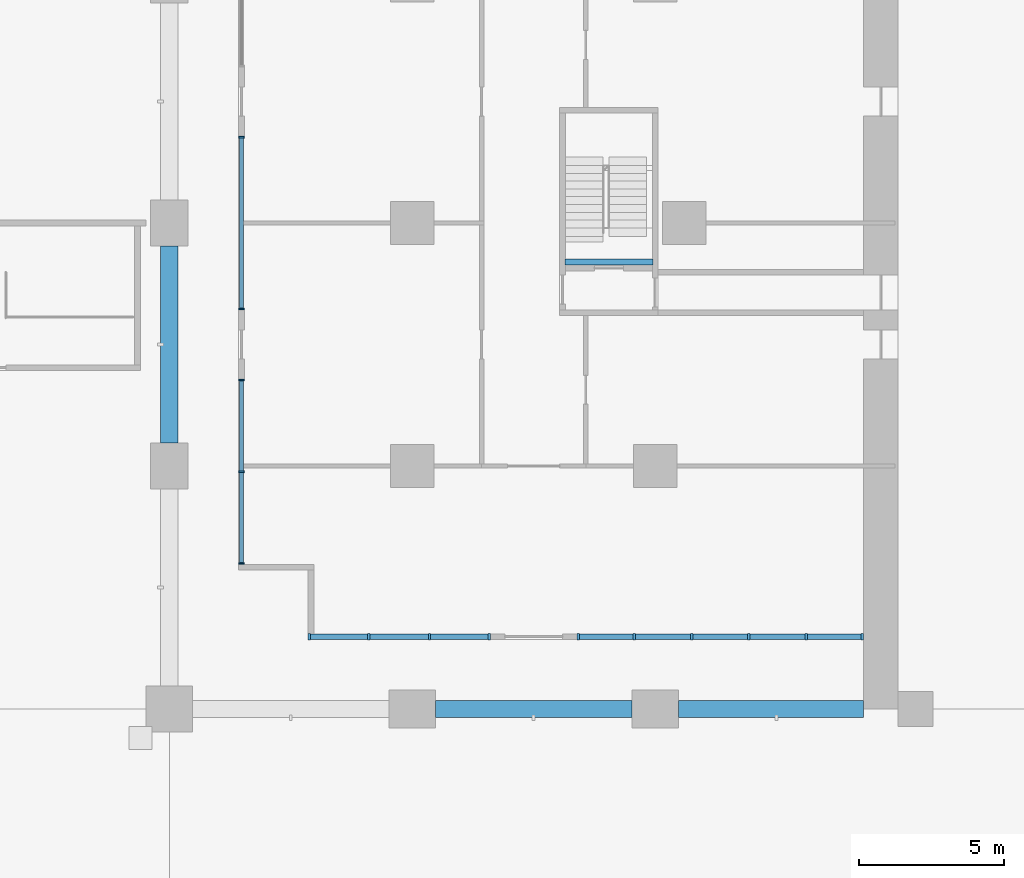
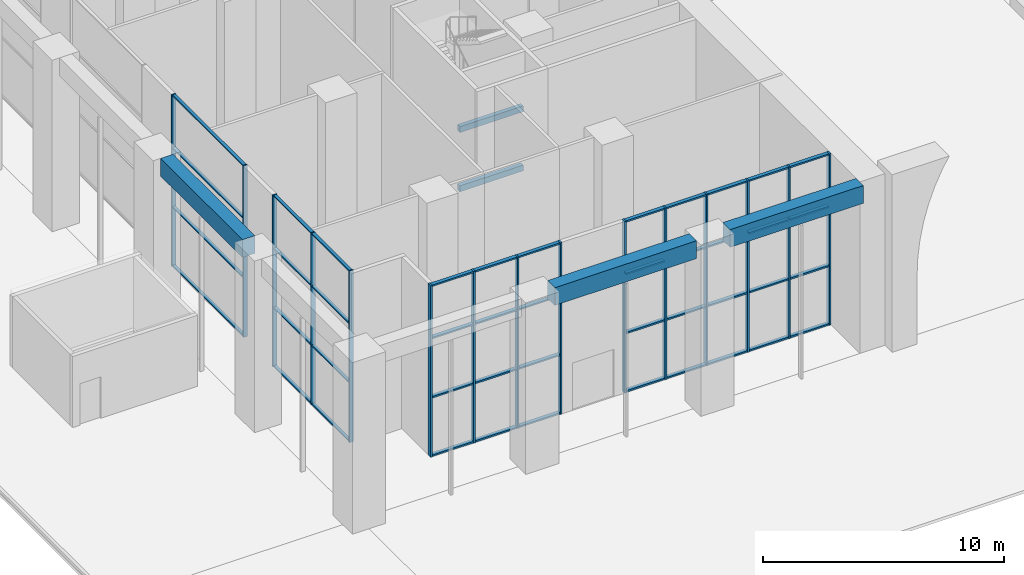
# One storey, part 3 of 46: 59 members, 5 beams, 4 elements without a shape of their own.
"""IFC4 building model written with IfcOpenShell, lengths in metres."""

from ifc_helpers import new_model, si_unit, direction, frame, origin, origin_2d, place, context, subcontext, project, spatial, rectangle, extrude, material, material_profile, profile_set, type_object, element, aggregate, save


model = new_model("IFC4")

# Units and contexts
model_context = context("Model", 3, precision=1e-05, world=origin(), true_north=direction((0.0, 1.0)))
body_context = subcontext(model_context, "Body", "Model", "MODEL_VIEW")
ifc_project = project(units=[si_unit("LENGTHUNIT", "METRE"), si_unit("AREAUNIT", "SQUARE_METRE"), si_unit("VOLUMEUNIT", "CUBIC_METRE"), si_unit("PLANEANGLEUNIT", "RADIAN"), si_unit("MASSUNIT", "GRAM", prefix="KILO")], contexts=[model_context])

# Site, building, storey
site_placement = place(None, origin())
site = spatial("IfcSite", under=ifc_project, at=site_placement, CompositionType="ELEMENT")
building_placement = place(site_placement, origin())
building = spatial("IfcBuilding", under=site, at=building_placement, Name="Vermilion Gate Residences", CompositionType="ELEMENT")
storey_placement = place(building_placement, origin())
storey = spatial("IfcBuildingStorey", under=building, at=storey_placement, Name="L00", CompositionType="ELEMENT", Elevation=0.0)

# Curtain wall, members
ifc_material_1 = material(Name="Aluminium and glass", Category="aluminium")
curtain_wall_type_1 = type_object("IfcCurtainWallType", Name="LOBBY ENTRANCE GLAZING CURTAIN WALL", PredefinedType="NOTDEFINED", material=ifc_material_1)
curtain_wall_1_placement = place(storey_placement, origin())
curtain_wall_1 = element("IfcCurtainWall", 1, at=curtain_wall_1_placement, inside=storey, type_object=curtain_wall_type_1, Name="Lobby Entrance Glazing 60", PredefinedType="NOTDEFINED")
ifc_material_2 = material(Name="Aluminium", Category="aluminium")
ifc_material_profile_1 = material_profile(ifc_material_2, rectangle(XDim=0.219970703125, YDim=0.080078125, at=origin_2d()), Name="MULLION 80 X 220")
ifc_profile_set_1 = profile_set([ifc_material_profile_1], Name="Aluminium")
member_type_1 = type_object("IfcMemberType", Name="LOBBY ENTRANCE GLAZING MULLION 80 X 220", PredefinedType="MULLION", material=ifc_profile_set_1)
member_1_placement = place(storey_placement, frame((4.840087890625, 2.5, 0.0), z_axis=(0.0, 0.0, 1.0), x_axis=(0.0, 1.0, 0.0)))
member_1 = element("IfcMember", 2, at=member_1_placement, type_object=member_type_1, Name="ECW5 mullion 1", PredefinedType="MULLION", context=body_context, shape_type="SweptSolid", body=[
    extrude(rectangle(XDim=0.219970703125, YDim=0.080078125, at=origin_2d()), origin(), (0.0, 0.0, 1.0), 8.699951171875),
])
member_2_placement = place(storey_placement, frame((6.89990234375, 2.5, 0.0), z_axis=(0.0, 0.0, 1.0), x_axis=(0.0, 1.0, 0.0)))
member_2 = element("IfcMember", 3, at=member_2_placement, type_object=member_type_1, Name="ECW5 mullion 2", PredefinedType="MULLION", context=body_context, shape_type="SweptSolid", body=[
    extrude(rectangle(XDim=0.219970703125, YDim=0.080078125, at=origin_2d()), origin(), (0.0, 0.0, 1.0), 8.699951171875),
])
member_3_placement = place(storey_placement, frame((9.0, 2.5, 0.0), z_axis=(0.0, 0.0, 1.0), x_axis=(0.0, 1.0, 0.0)))
member_3 = element("IfcMember", 4, at=member_3_placement, type_object=member_type_1, Name="ECW5 mullion 3", PredefinedType="MULLION", context=body_context, shape_type="SweptSolid", body=[
    extrude(rectangle(XDim=0.219970703125, YDim=0.080078125, at=origin_2d()), origin(), (0.0, 0.0, 1.0), 8.699951171875),
])
member_4_placement = place(storey_placement, frame((11.06005859375, 2.5, 0.0), z_axis=(0.0, 0.0, 1.0), x_axis=(0.0, 1.0, 0.0)))
member_4 = element("IfcMember", 5, at=member_4_placement, type_object=member_type_1, Name="ECW5 mullion 4", PredefinedType="MULLION", context=body_context, shape_type="SweptSolid", body=[
    extrude(rectangle(XDim=0.219970703125, YDim=0.080078125, at=origin_2d()), origin(), (0.0, 0.0, 1.0), 8.699951171875),
])

curtain_wall_2_placement = place(storey_placement, origin())
curtain_wall_2 = element("IfcCurtainWall", 6, at=curtain_wall_2_placement, inside=storey, type_object=curtain_wall_type_1, Name="Lobby Entrance Glazing 62", PredefinedType="NOTDEFINED")
member_5_placement = place(storey_placement, frame((14.139892578125, 2.5, 0.0), z_axis=(0.0, 0.0, 1.0), x_axis=(0.0, 1.0, 0.0)))
member_5 = element("IfcMember", 7, at=member_5_placement, type_object=member_type_1, Name="ECW5 mullion 1", PredefinedType="MULLION", context=body_context, shape_type="SweptSolid", body=[
    extrude(rectangle(XDim=0.219970703125, YDim=0.080078125, at=origin_2d()), origin(), (0.0, 0.0, 1.0), 8.699951171875),
])
member_6_placement = place(storey_placement, frame((16.080078125, 2.5, 0.0), z_axis=(0.0, 0.0, 1.0), x_axis=(0.0, 1.0, 0.0)))
member_6 = element("IfcMember", 8, at=member_6_placement, type_object=member_type_1, Name="ECW5 mullion 2", PredefinedType="MULLION", context=body_context, shape_type="SweptSolid", body=[
    extrude(rectangle(XDim=0.219970703125, YDim=0.080078125, at=origin_2d()), origin(), (0.0, 0.0, 1.0), 8.699951171875),
])
member_7_placement = place(storey_placement, frame((18.06005859375, 2.5, 0.0), z_axis=(0.0, 0.0, 1.0), x_axis=(0.0, 1.0, 0.0)))
member_7 = element("IfcMember", 9, at=member_7_placement, type_object=member_type_1, Name="ECW5 mullion 3", PredefinedType="MULLION", context=body_context, shape_type="SweptSolid", body=[
    extrude(rectangle(XDim=0.219970703125, YDim=0.080078125, at=origin_2d()), origin(), (0.0, 0.0, 1.0), 8.699951171875),
])
member_8_placement = place(storey_placement, frame((20.0400390625, 2.5, 0.0), z_axis=(0.0, 0.0, 1.0), x_axis=(0.0, 1.0, 0.0)))
member_8 = element("IfcMember", 10, at=member_8_placement, type_object=member_type_1, Name="ECW5 mullion 4", PredefinedType="MULLION", context=body_context, shape_type="SweptSolid", body=[
    extrude(rectangle(XDim=0.219970703125, YDim=0.080078125, at=origin_2d()), origin(), (0.0, 0.0, 1.0), 8.699951171875),
])
member_9_placement = place(storey_placement, frame((22.02001953125, 2.5, 0.0), z_axis=(0.0, 0.0, 1.0), x_axis=(0.0, 1.0, 0.0)))
member_9 = element("IfcMember", 11, at=member_9_placement, type_object=member_type_1, Name="ECW5 mullion 5", PredefinedType="MULLION", context=body_context, shape_type="SweptSolid", body=[
    extrude(rectangle(XDim=0.219970703125, YDim=0.080078125, at=origin_2d()), origin(), (0.0, 0.0, 1.0), 8.699951171875),
])
member_10_placement = place(storey_placement, frame((23.9599609375, 2.5, 0.0), z_axis=(0.0, 0.0, 1.0), x_axis=(0.0, 1.0, 0.0)))
member_10 = element("IfcMember", 12, at=member_10_placement, type_object=member_type_1, Name="ECW5 mullion 6", PredefinedType="MULLION", context=body_context, shape_type="SweptSolid", body=[
    extrude(rectangle(XDim=0.219970703125, YDim=0.080078125, at=origin_2d()), origin(), (0.0, 0.0, 1.0), 8.699951171875),
])

# Member
ifc_material_3 = material(Name="Aluminium", Category="aluminium")
ifc_material_profile_2 = material_profile(ifc_material_3, rectangle(XDim=0.179931640625, YDim=0.080078125, at=origin_2d()), Name="TRANSOM 80 X 180")
ifc_profile_set_2 = profile_set([ifc_material_profile_2], Name="Aluminium")
member_type_2 = type_object("IfcMemberType", Name="LOBBY ENTRANCE GLAZING TRANSOM 80 X 180", PredefinedType="MULLION", material=ifc_profile_set_2)
member_11_placement = place(storey_placement, frame((4.8798828125, 2.5, 0.0400390625), z_axis=(1.0, 0.0, 0.0), x_axis=(0.0, 1.0, 0.0)))
member_11 = element("IfcMember", 13, at=member_11_placement, type_object=member_type_2, Name="ECW5 transom 1.1", PredefinedType="MULLION", context=body_context, shape_type="SweptSolid", body=[
    extrude(rectangle(XDim=0.179931640625, YDim=0.080078125, at=origin_2d()), origin(), (0.0, 0.0, 1.0), 1.980224609375),
])

member_12_placement = place(storey_placement, frame((4.8798828125, 2.5, 3.0), z_axis=(1.0, 0.0, 0.0), x_axis=(0.0, 1.0, 0.0)))
member_12 = element("IfcMember", 14, at=member_12_placement, type_object=member_type_2, Name="ECW5 transom 1.2", PredefinedType="MULLION", context=body_context, shape_type="SweptSolid", body=[
    extrude(rectangle(XDim=0.179931640625, YDim=0.080078125, at=origin_2d()), origin(), (0.0, 0.0, 1.0), 1.980224609375),
])

member_13_placement = place(storey_placement, frame((4.8798828125, 2.5, 6.0), z_axis=(1.0, 0.0, 0.0), x_axis=(0.0, 1.0, 0.0)))
member_13 = element("IfcMember", 15, at=member_13_placement, type_object=member_type_2, Name="ECW5 transom 1.3", PredefinedType="MULLION", context=body_context, shape_type="SweptSolid", body=[
    extrude(rectangle(XDim=0.179931640625, YDim=0.080078125, at=origin_2d()), origin(), (0.0, 0.0, 1.0), 1.980224609375),
])

member_14_placement = place(storey_placement, frame((4.8798828125, 2.5, 8.659912109375), z_axis=(1.0, 0.0, 0.0), x_axis=(0.0, 1.0, 0.0)))
member_14 = element("IfcMember", 16, at=member_14_placement, type_object=member_type_2, Name="ECW5 transom 1.4", PredefinedType="MULLION", context=body_context, shape_type="SweptSolid", body=[
    extrude(rectangle(XDim=0.179931640625, YDim=0.080078125, at=origin_2d()), origin(), (0.0, 0.0, 1.0), 1.980224609375),
])

member_15_placement = place(storey_placement, frame((6.93994140625, 2.5, 0.0400390625), z_axis=(1.0, 0.0, 0.0), x_axis=(0.0, 1.0, 0.0)))
member_15 = element("IfcMember", 17, at=member_15_placement, type_object=member_type_2, Name="ECW5 transom 2.1", PredefinedType="MULLION", context=body_context, shape_type="SweptSolid", body=[
    extrude(rectangle(XDim=0.179931640625, YDim=0.080078125, at=origin_2d()), origin(), (0.0, 0.0, 1.0), 2.02001953125),
])

member_16_placement = place(storey_placement, frame((6.93994140625, 2.5, 3.0), z_axis=(1.0, 0.0, 0.0), x_axis=(0.0, 1.0, 0.0)))
member_16 = element("IfcMember", 18, at=member_16_placement, type_object=member_type_2, Name="ECW5 transom 2.2", PredefinedType="MULLION", context=body_context, shape_type="SweptSolid", body=[
    extrude(rectangle(XDim=0.179931640625, YDim=0.080078125, at=origin_2d()), origin(), (0.0, 0.0, 1.0), 2.02001953125),
])

member_17_placement = place(storey_placement, frame((6.93994140625, 2.5, 6.0), z_axis=(1.0, 0.0, 0.0), x_axis=(0.0, 1.0, 0.0)))
member_17 = element("IfcMember", 19, at=member_17_placement, type_object=member_type_2, Name="ECW5 transom 2.3", PredefinedType="MULLION", context=body_context, shape_type="SweptSolid", body=[
    extrude(rectangle(XDim=0.179931640625, YDim=0.080078125, at=origin_2d()), origin(), (0.0, 0.0, 1.0), 2.02001953125),
])

member_18_placement = place(storey_placement, frame((6.93994140625, 2.5, 8.659912109375), z_axis=(1.0, 0.0, 0.0), x_axis=(0.0, 1.0, 0.0)))
member_18 = element("IfcMember", 20, at=member_18_placement, type_object=member_type_2, Name="ECW5 transom 2.4", PredefinedType="MULLION", context=body_context, shape_type="SweptSolid", body=[
    extrude(rectangle(XDim=0.179931640625, YDim=0.080078125, at=origin_2d()), origin(), (0.0, 0.0, 1.0), 2.02001953125),
])

member_19_placement = place(storey_placement, frame((9.0400390625, 2.5, 0.0400390625), z_axis=(1.0, 0.0, 0.0), x_axis=(0.0, 1.0, 0.0)))
member_19 = element("IfcMember", 21, at=member_19_placement, type_object=member_type_2, Name="ECW5 transom 3.1", PredefinedType="MULLION", context=body_context, shape_type="SweptSolid", body=[
    extrude(rectangle(XDim=0.179931640625, YDim=0.080078125, at=origin_2d()), origin(), (0.0, 0.0, 1.0), 1.97998046875),
])

member_20_placement = place(storey_placement, frame((9.0400390625, 2.5, 3.0), z_axis=(1.0, 0.0, 0.0), x_axis=(0.0, 1.0, 0.0)))
member_20 = element("IfcMember", 22, at=member_20_placement, type_object=member_type_2, Name="ECW5 transom 3.2", PredefinedType="MULLION", context=body_context, shape_type="SweptSolid", body=[
    extrude(rectangle(XDim=0.179931640625, YDim=0.080078125, at=origin_2d()), origin(), (0.0, 0.0, 1.0), 1.97998046875),
])

member_21_placement = place(storey_placement, frame((9.0400390625, 2.5, 6.0), z_axis=(1.0, 0.0, 0.0), x_axis=(0.0, 1.0, 0.0)))
member_21 = element("IfcMember", 23, at=member_21_placement, type_object=member_type_2, Name="ECW5 transom 3.3", PredefinedType="MULLION", context=body_context, shape_type="SweptSolid", body=[
    extrude(rectangle(XDim=0.179931640625, YDim=0.080078125, at=origin_2d()), origin(), (0.0, 0.0, 1.0), 1.97998046875),
])

member_22_placement = place(storey_placement, frame((9.0400390625, 2.5, 8.659912109375), z_axis=(1.0, 0.0, 0.0), x_axis=(0.0, 1.0, 0.0)))
member_22 = element("IfcMember", 24, at=member_22_placement, type_object=member_type_2, Name="ECW5 transom 3.4", PredefinedType="MULLION", context=body_context, shape_type="SweptSolid", body=[
    extrude(rectangle(XDim=0.179931640625, YDim=0.080078125, at=origin_2d()), origin(), (0.0, 0.0, 1.0), 1.97998046875),
])

aggregate(curtain_wall_1, [member_1, member_2, member_3, member_4, member_11, member_12, member_13, member_14, member_15, member_16, member_17, member_18, member_19, member_20, member_21, member_22])

member_23_placement = place(storey_placement, frame((14.179931640625, 2.5, 0.0400390625), z_axis=(1.0, 0.0, 0.0), x_axis=(0.0, 1.0, 0.0)))
member_23 = element("IfcMember", 25, at=member_23_placement, type_object=member_type_2, Name="ECW5 transom 1.1", PredefinedType="MULLION", context=body_context, shape_type="SweptSolid", body=[
    extrude(rectangle(XDim=0.179931640625, YDim=0.080078125, at=origin_2d()), origin(), (0.0, 0.0, 1.0), 1.860107421875),
])

member_24_placement = place(storey_placement, frame((14.179931640625, 2.5, 3.0), z_axis=(1.0, 0.0, 0.0), x_axis=(0.0, 1.0, 0.0)))
member_24 = element("IfcMember", 26, at=member_24_placement, type_object=member_type_2, Name="ECW5 transom 1.2", PredefinedType="MULLION", context=body_context, shape_type="SweptSolid", body=[
    extrude(rectangle(XDim=0.179931640625, YDim=0.080078125, at=origin_2d()), origin(), (0.0, 0.0, 1.0), 1.860107421875),
])

member_25_placement = place(storey_placement, frame((14.179931640625, 2.5, 6.0), z_axis=(1.0, 0.0, 0.0), x_axis=(0.0, 1.0, 0.0)))
member_25 = element("IfcMember", 27, at=member_25_placement, type_object=member_type_2, Name="ECW5 transom 1.3", PredefinedType="MULLION", context=body_context, shape_type="SweptSolid", body=[
    extrude(rectangle(XDim=0.179931640625, YDim=0.080078125, at=origin_2d()), origin(), (0.0, 0.0, 1.0), 1.860107421875),
])

member_26_placement = place(storey_placement, frame((14.179931640625, 2.5, 8.659912109375), z_axis=(1.0, 0.0, 0.0), x_axis=(0.0, 1.0, 0.0)))
member_26 = element("IfcMember", 28, at=member_26_placement, type_object=member_type_2, Name="ECW5 transom 1.4", PredefinedType="MULLION", context=body_context, shape_type="SweptSolid", body=[
    extrude(rectangle(XDim=0.179931640625, YDim=0.080078125, at=origin_2d()), origin(), (0.0, 0.0, 1.0), 1.860107421875),
])

member_27_placement = place(storey_placement, frame((16.1201171875, 2.5, 0.0400390625), z_axis=(1.0, 0.0, 0.0), x_axis=(0.0, 1.0, 0.0)))
member_27 = element("IfcMember", 29, at=member_27_placement, type_object=member_type_2, Name="ECW5 transom 2.1", PredefinedType="MULLION", context=body_context, shape_type="SweptSolid", body=[
    extrude(rectangle(XDim=0.179931640625, YDim=0.080078125, at=origin_2d()), origin(), (0.0, 0.0, 1.0), 1.89990234375),
])

member_28_placement = place(storey_placement, frame((16.1201171875, 2.5, 3.0), z_axis=(1.0, 0.0, 0.0), x_axis=(0.0, 1.0, 0.0)))
member_28 = element("IfcMember", 30, at=member_28_placement, type_object=member_type_2, Name="ECW5 transom 2.2", PredefinedType="MULLION", context=body_context, shape_type="SweptSolid", body=[
    extrude(rectangle(XDim=0.179931640625, YDim=0.080078125, at=origin_2d()), origin(), (0.0, 0.0, 1.0), 1.89990234375),
])

member_29_placement = place(storey_placement, frame((16.1201171875, 2.5, 6.0), z_axis=(1.0, 0.0, 0.0), x_axis=(0.0, 1.0, 0.0)))
member_29 = element("IfcMember", 31, at=member_29_placement, type_object=member_type_2, Name="ECW5 transom 2.3", PredefinedType="MULLION", context=body_context, shape_type="SweptSolid", body=[
    extrude(rectangle(XDim=0.179931640625, YDim=0.080078125, at=origin_2d()), origin(), (0.0, 0.0, 1.0), 1.89990234375),
])

member_30_placement = place(storey_placement, frame((16.1201171875, 2.5, 8.659912109375), z_axis=(1.0, 0.0, 0.0), x_axis=(0.0, 1.0, 0.0)))
member_30 = element("IfcMember", 32, at=member_30_placement, type_object=member_type_2, Name="ECW5 transom 2.4", PredefinedType="MULLION", context=body_context, shape_type="SweptSolid", body=[
    extrude(rectangle(XDim=0.179931640625, YDim=0.080078125, at=origin_2d()), origin(), (0.0, 0.0, 1.0), 1.89990234375),
])

member_31_placement = place(storey_placement, frame((18.10009765625, 2.5, 0.0400390625), z_axis=(1.0, 0.0, 0.0), x_axis=(0.0, 1.0, 0.0)))
member_31 = element("IfcMember", 33, at=member_31_placement, type_object=member_type_2, Name="ECW5 transom 3.1", PredefinedType="MULLION", context=body_context, shape_type="SweptSolid", body=[
    extrude(rectangle(XDim=0.179931640625, YDim=0.080078125, at=origin_2d()), origin(), (0.0, 0.0, 1.0), 1.89990234375),
])

member_32_placement = place(storey_placement, frame((18.10009765625, 2.5, 3.0), z_axis=(1.0, 0.0, 0.0), x_axis=(0.0, 1.0, 0.0)))
member_32 = element("IfcMember", 34, at=member_32_placement, type_object=member_type_2, Name="ECW5 transom 3.2", PredefinedType="MULLION", context=body_context, shape_type="SweptSolid", body=[
    extrude(rectangle(XDim=0.179931640625, YDim=0.080078125, at=origin_2d()), origin(), (0.0, 0.0, 1.0), 1.89990234375),
])

member_33_placement = place(storey_placement, frame((18.10009765625, 2.5, 6.0), z_axis=(1.0, 0.0, 0.0), x_axis=(0.0, 1.0, 0.0)))
member_33 = element("IfcMember", 35, at=member_33_placement, type_object=member_type_2, Name="ECW5 transom 3.3", PredefinedType="MULLION", context=body_context, shape_type="SweptSolid", body=[
    extrude(rectangle(XDim=0.179931640625, YDim=0.080078125, at=origin_2d()), origin(), (0.0, 0.0, 1.0), 1.89990234375),
])

member_34_placement = place(storey_placement, frame((18.10009765625, 2.5, 8.659912109375), z_axis=(1.0, 0.0, 0.0), x_axis=(0.0, 1.0, 0.0)))
member_34 = element("IfcMember", 36, at=member_34_placement, type_object=member_type_2, Name="ECW5 transom 3.4", PredefinedType="MULLION", context=body_context, shape_type="SweptSolid", body=[
    extrude(rectangle(XDim=0.179931640625, YDim=0.080078125, at=origin_2d()), origin(), (0.0, 0.0, 1.0), 1.89990234375),
])

member_35_placement = place(storey_placement, frame((20.080078125, 2.5, 0.0400390625), z_axis=(1.0, 0.0, 0.0), x_axis=(0.0, 1.0, 0.0)))
member_35 = element("IfcMember", 37, at=member_35_placement, type_object=member_type_2, Name="ECW5 transom 4.1", PredefinedType="MULLION", context=body_context, shape_type="SweptSolid", body=[
    extrude(rectangle(XDim=0.179931640625, YDim=0.080078125, at=origin_2d()), origin(), (0.0, 0.0, 1.0), 1.89990234375),
])

member_36_placement = place(storey_placement, frame((20.080078125, 2.5, 3.0), z_axis=(1.0, 0.0, 0.0), x_axis=(0.0, 1.0, 0.0)))
member_36 = element("IfcMember", 38, at=member_36_placement, type_object=member_type_2, Name="ECW5 transom 4.2", PredefinedType="MULLION", context=body_context, shape_type="SweptSolid", body=[
    extrude(rectangle(XDim=0.179931640625, YDim=0.080078125, at=origin_2d()), origin(), (0.0, 0.0, 1.0), 1.89990234375),
])

member_37_placement = place(storey_placement, frame((20.080078125, 2.5, 6.0), z_axis=(1.0, 0.0, 0.0), x_axis=(0.0, 1.0, 0.0)))
member_37 = element("IfcMember", 39, at=member_37_placement, type_object=member_type_2, Name="ECW5 transom 4.3", PredefinedType="MULLION", context=body_context, shape_type="SweptSolid", body=[
    extrude(rectangle(XDim=0.179931640625, YDim=0.080078125, at=origin_2d()), origin(), (0.0, 0.0, 1.0), 1.89990234375),
])

member_38_placement = place(storey_placement, frame((20.080078125, 2.5, 8.659912109375), z_axis=(1.0, 0.0, 0.0), x_axis=(0.0, 1.0, 0.0)))
member_38 = element("IfcMember", 40, at=member_38_placement, type_object=member_type_2, Name="ECW5 transom 4.4", PredefinedType="MULLION", context=body_context, shape_type="SweptSolid", body=[
    extrude(rectangle(XDim=0.179931640625, YDim=0.080078125, at=origin_2d()), origin(), (0.0, 0.0, 1.0), 1.89990234375),
])

member_39_placement = place(storey_placement, frame((22.06005859375, 2.5, 0.0400390625), z_axis=(1.0, 0.0, 0.0), x_axis=(0.0, 1.0, 0.0)))
member_39 = element("IfcMember", 41, at=member_39_placement, type_object=member_type_2, Name="ECW5 transom 5.1", PredefinedType="MULLION", context=body_context, shape_type="SweptSolid", body=[
    extrude(rectangle(XDim=0.179931640625, YDim=0.080078125, at=origin_2d()), origin(), (0.0, 0.0, 1.0), 1.85986328125),
])

member_40_placement = place(storey_placement, frame((22.06005859375, 2.5, 3.0), z_axis=(1.0, 0.0, 0.0), x_axis=(0.0, 1.0, 0.0)))
member_40 = element("IfcMember", 42, at=member_40_placement, type_object=member_type_2, Name="ECW5 transom 5.2", PredefinedType="MULLION", context=body_context, shape_type="SweptSolid", body=[
    extrude(rectangle(XDim=0.179931640625, YDim=0.080078125, at=origin_2d()), origin(), (0.0, 0.0, 1.0), 1.85986328125),
])

member_41_placement = place(storey_placement, frame((22.06005859375, 2.5, 6.0), z_axis=(1.0, 0.0, 0.0), x_axis=(0.0, 1.0, 0.0)))
member_41 = element("IfcMember", 43, at=member_41_placement, type_object=member_type_2, Name="ECW5 transom 5.3", PredefinedType="MULLION", context=body_context, shape_type="SweptSolid", body=[
    extrude(rectangle(XDim=0.179931640625, YDim=0.080078125, at=origin_2d()), origin(), (0.0, 0.0, 1.0), 1.85986328125),
])

member_42_placement = place(storey_placement, frame((22.06005859375, 2.5, 8.659912109375), z_axis=(1.0, 0.0, 0.0), x_axis=(0.0, 1.0, 0.0)))
member_42 = element("IfcMember", 44, at=member_42_placement, type_object=member_type_2, Name="ECW5 transom 5.4", PredefinedType="MULLION", context=body_context, shape_type="SweptSolid", body=[
    extrude(rectangle(XDim=0.179931640625, YDim=0.080078125, at=origin_2d()), origin(), (0.0, 0.0, 1.0), 1.85986328125),
])

aggregate(curtain_wall_2, [member_5, member_6, member_7, member_8, member_9, member_10, member_23, member_24, member_25, member_26, member_27, member_28, member_29, member_30, member_31, member_32, member_33, member_34, member_35, member_36, member_37, member_38, member_39, member_40, member_41, member_42])

# Curtain wall, members
ifc_material_4 = material(Name="Aluminium and glass", Category="aluminium")
curtain_wall_type_2 = type_object("IfcCurtainWallType", Name="PODIUM SHOPFRONT CURTAIN WALL", PredefinedType="NOTDEFINED", material=ifc_material_4)
curtain_wall_3_placement = place(storey_placement, origin())
curtain_wall_3 = element("IfcCurtainWall", 45, at=curtain_wall_3_placement, inside=storey, type_object=curtain_wall_type_2, Name="Podium Shopfront 36", PredefinedType="NOTDEFINED")
ifc_material_5 = material(Name="Aluminium", Category="aluminium")
ifc_material_profile_3 = material_profile(ifc_material_5, rectangle(XDim=0.199951171875, YDim=0.06005859375, at=origin_2d()), Name="MULLION 60 X 200")
ifc_profile_set_3 = profile_set([ifc_material_profile_3], Name="Aluminium")
member_type_3 = type_object("IfcMemberType", Name="PODIUM SHOPFRONT MULLION 60 X 200", PredefinedType="MULLION", material=ifc_profile_set_3)
member_43_placement = place(storey_placement, frame((2.5, 19.77001953125, 0.0), z_axis=(0.0, 0.0, 1.0), x_axis=(1.0, 0.0, 0.0)))
member_43 = element("IfcMember", 46, at=member_43_placement, type_object=member_type_3, Name="ECW1 mullion 1", PredefinedType="MULLION", context=body_context, shape_type="SweptSolid", body=[
    extrude(rectangle(XDim=0.199951171875, YDim=0.06005859375, at=origin_2d()), origin(), (0.0, 0.0, 1.0), 8.699951171875),
])
member_44_placement = place(storey_placement, frame((2.5, 13.830078125, 0.0), z_axis=(0.0, 0.0, 1.0), x_axis=(1.0, 0.0, 0.0)))
member_44 = element("IfcMember", 47, at=member_44_placement, type_object=member_type_3, Name="ECW1 mullion 2", PredefinedType="MULLION", context=body_context, shape_type="SweptSolid", body=[
    extrude(rectangle(XDim=0.199951171875, YDim=0.06005859375, at=origin_2d()), origin(), (0.0, 0.0, 1.0), 8.699951171875),
])

curtain_wall_4_placement = place(storey_placement, origin())
curtain_wall_4 = element("IfcCurtainWall", 48, at=curtain_wall_4_placement, inside=storey, type_object=curtain_wall_type_2, Name="Podium Shopfront 38", PredefinedType="NOTDEFINED")
member_45_placement = place(storey_placement, frame((2.5, 11.3701171875, 0.0), z_axis=(0.0, 0.0, 1.0), x_axis=(1.0, 0.0, 0.0)))
member_45 = element("IfcMember", 49, at=member_45_placement, type_object=member_type_3, Name="ECW1 mullion 1", PredefinedType="MULLION", context=body_context, shape_type="SweptSolid", body=[
    extrude(rectangle(XDim=0.199951171875, YDim=0.06005859375, at=origin_2d()), origin(), (0.0, 0.0, 1.0), 8.699951171875),
])
member_46_placement = place(storey_placement, frame((2.5, 8.199951171875, 0.0), z_axis=(0.0, 0.0, 1.0), x_axis=(1.0, 0.0, 0.0)))
member_46 = element("IfcMember", 50, at=member_46_placement, type_object=member_type_3, Name="ECW1 mullion 2", PredefinedType="MULLION", context=body_context, shape_type="SweptSolid", body=[
    extrude(rectangle(XDim=0.199951171875, YDim=0.06005859375, at=origin_2d()), origin(), (0.0, 0.0, 1.0), 8.699951171875),
])
member_47_placement = place(storey_placement, frame((2.5, 5.030029296875, 0.0), z_axis=(0.0, 0.0, 1.0), x_axis=(1.0, 0.0, 0.0)))
member_47 = element("IfcMember", 51, at=member_47_placement, type_object=member_type_3, Name="ECW1 mullion 3", PredefinedType="MULLION", context=body_context, shape_type="SweptSolid", body=[
    extrude(rectangle(XDim=0.199951171875, YDim=0.06005859375, at=origin_2d()), origin(), (0.0, 0.0, 1.0), 8.699951171875),
])

# Member
ifc_material_6 = material(Name="Aluminium", Category="aluminium")
ifc_material_profile_4 = material_profile(ifc_material_6, rectangle(XDim=0.14990234375, YDim=0.06005859375, at=origin_2d()), Name="TRANSOM 60 X 150")
ifc_profile_set_4 = profile_set([ifc_material_profile_4], Name="Aluminium")
member_type_4 = type_object("IfcMemberType", Name="PODIUM SHOPFRONT TRANSOM 60 X 150", PredefinedType="MULLION", material=ifc_profile_set_4)
member_48_placement = place(storey_placement, frame((2.5, 19.739990234375, 0.030029296875), z_axis=(0.0, -1.0, 0.0), x_axis=(1.0, 0.0, 0.0)))
member_48 = element("IfcMember", 52, at=member_48_placement, type_object=member_type_4, Name="ECW1 transom 1.1", PredefinedType="MULLION", context=body_context, shape_type="SweptSolid", body=[
    extrude(rectangle(XDim=0.14990234375, YDim=0.06005859375, at=origin_2d()), origin(), (0.0, 0.0, 1.0), 5.8798828125),
])

member_49_placement = place(storey_placement, frame((2.5, 19.739990234375, 3.0), z_axis=(0.0, -1.0, 0.0), x_axis=(1.0, 0.0, 0.0)))
member_49 = element("IfcMember", 53, at=member_49_placement, type_object=member_type_4, Name="ECW1 transom 1.2", PredefinedType="MULLION", context=body_context, shape_type="SweptSolid", body=[
    extrude(rectangle(XDim=0.14990234375, YDim=0.06005859375, at=origin_2d()), origin(), (0.0, 0.0, 1.0), 5.8798828125),
])

member_50_placement = place(storey_placement, frame((2.5, 19.739990234375, 6.0), z_axis=(0.0, -1.0, 0.0), x_axis=(1.0, 0.0, 0.0)))
member_50 = element("IfcMember", 54, at=member_50_placement, type_object=member_type_4, Name="ECW1 transom 1.3", PredefinedType="MULLION", context=body_context, shape_type="SweptSolid", body=[
    extrude(rectangle(XDim=0.14990234375, YDim=0.06005859375, at=origin_2d()), origin(), (0.0, 0.0, 1.0), 5.8798828125),
])

member_51_placement = place(storey_placement, frame((2.5, 19.739990234375, 8.669921875), z_axis=(0.0, -1.0, 0.0), x_axis=(1.0, 0.0, 0.0)))
member_51 = element("IfcMember", 55, at=member_51_placement, type_object=member_type_4, Name="ECW1 transom 1.4", PredefinedType="MULLION", context=body_context, shape_type="SweptSolid", body=[
    extrude(rectangle(XDim=0.14990234375, YDim=0.06005859375, at=origin_2d()), origin(), (0.0, 0.0, 1.0), 5.8798828125),
])

aggregate(curtain_wall_3, [member_43, member_44, member_48, member_49, member_50, member_51])

member_52_placement = place(storey_placement, frame((2.5, 11.340087890625, 0.030029296875), z_axis=(0.0, -1.0, 0.0), x_axis=(1.0, 0.0, 0.0)))
member_52 = element("IfcMember", 56, at=member_52_placement, type_object=member_type_4, Name="ECW1 transom 1.1", PredefinedType="MULLION", context=body_context, shape_type="SweptSolid", body=[
    extrude(rectangle(XDim=0.14990234375, YDim=0.06005859375, at=origin_2d()), origin(), (0.0, 0.0, 1.0), 3.110107421875),
])

member_53_placement = place(storey_placement, frame((2.5, 11.340087890625, 3.0), z_axis=(0.0, -1.0, 0.0), x_axis=(1.0, 0.0, 0.0)))
member_53 = element("IfcMember", 57, at=member_53_placement, type_object=member_type_4, Name="ECW1 transom 1.2", PredefinedType="MULLION", context=body_context, shape_type="SweptSolid", body=[
    extrude(rectangle(XDim=0.14990234375, YDim=0.06005859375, at=origin_2d()), origin(), (0.0, 0.0, 1.0), 3.110107421875),
])

member_54_placement = place(storey_placement, frame((2.5, 11.340087890625, 6.0), z_axis=(0.0, -1.0, 0.0), x_axis=(1.0, 0.0, 0.0)))
member_54 = element("IfcMember", 58, at=member_54_placement, type_object=member_type_4, Name="ECW1 transom 1.3", PredefinedType="MULLION", context=body_context, shape_type="SweptSolid", body=[
    extrude(rectangle(XDim=0.14990234375, YDim=0.06005859375, at=origin_2d()), origin(), (0.0, 0.0, 1.0), 3.110107421875),
])

member_55_placement = place(storey_placement, frame((2.5, 11.340087890625, 8.669921875), z_axis=(0.0, -1.0, 0.0), x_axis=(1.0, 0.0, 0.0)))
member_55 = element("IfcMember", 59, at=member_55_placement, type_object=member_type_4, Name="ECW1 transom 1.4", PredefinedType="MULLION", context=body_context, shape_type="SweptSolid", body=[
    extrude(rectangle(XDim=0.14990234375, YDim=0.06005859375, at=origin_2d()), origin(), (0.0, 0.0, 1.0), 3.110107421875),
])

member_56_placement = place(storey_placement, frame((2.5, 8.169921875, 0.030029296875), z_axis=(0.0, -1.0, 0.0), x_axis=(1.0, 0.0, 0.0)))
member_56 = element("IfcMember", 60, at=member_56_placement, type_object=member_type_4, Name="ECW1 transom 2.1", PredefinedType="MULLION", context=body_context, shape_type="SweptSolid", body=[
    extrude(rectangle(XDim=0.14990234375, YDim=0.06005859375, at=origin_2d()), origin(), (0.0, 0.0, 1.0), 3.10986328125),
])

member_57_placement = place(storey_placement, frame((2.5, 8.169921875, 3.0), z_axis=(0.0, -1.0, 0.0), x_axis=(1.0, 0.0, 0.0)))
member_57 = element("IfcMember", 61, at=member_57_placement, type_object=member_type_4, Name="ECW1 transom 2.2", PredefinedType="MULLION", context=body_context, shape_type="SweptSolid", body=[
    extrude(rectangle(XDim=0.14990234375, YDim=0.06005859375, at=origin_2d()), origin(), (0.0, 0.0, 1.0), 3.10986328125),
])

member_58_placement = place(storey_placement, frame((2.5, 8.169921875, 6.0), z_axis=(0.0, -1.0, 0.0), x_axis=(1.0, 0.0, 0.0)))
member_58 = element("IfcMember", 62, at=member_58_placement, type_object=member_type_4, Name="ECW1 transom 2.3", PredefinedType="MULLION", context=body_context, shape_type="SweptSolid", body=[
    extrude(rectangle(XDim=0.14990234375, YDim=0.06005859375, at=origin_2d()), origin(), (0.0, 0.0, 1.0), 3.10986328125),
])

member_59_placement = place(storey_placement, frame((2.5, 8.169921875, 8.669921875), z_axis=(0.0, -1.0, 0.0), x_axis=(1.0, 0.0, 0.0)))
member_59 = element("IfcMember", 63, at=member_59_placement, type_object=member_type_4, Name="ECW1 transom 2.4", PredefinedType="MULLION", context=body_context, shape_type="SweptSolid", body=[
    extrude(rectangle(XDim=0.14990234375, YDim=0.06005859375, at=origin_2d()), origin(), (0.0, 0.0, 1.0), 3.10986328125),
])

aggregate(curtain_wall_4, [member_45, member_46, member_47, member_52, member_53, member_54, member_55, member_56, member_57, member_58, member_59])

# Beams
ifc_material_7 = material(Name="Concrete C60 red-oxide pigmented", Category="concrete")
ifc_material_profile_5 = material_profile(ifc_material_7, rectangle(XDim=0.60009765625, YDim=0.89990234375, at=origin_2d()), Name="RC-600x900")
ifc_profile_set_5 = profile_set([ifc_material_profile_5], Name="Concrete C60 red-oxide pigmented")
beam_type_1 = type_object("IfcBeamType", Name="RC EDGE BEAM 600 X 900 C60", PredefinedType="BEAM", material=ifc_profile_set_5)
for number, where, z_axis, x_axis, name in (
    (64, (0.0, 9.199951171875, 8.25), (0.0, 1.0, 0.0), (-1.0, 0.0, 0.0), "Edge beam L00 3"),
    (65, (9.199951171875, 0.0, 8.25), (1.0, 0.0, 0.0), (0.0, 1.0, 0.0), "Edge beam L00 10"),
):
    element("IfcBeam", number, at=place(storey_placement, frame(where, z_axis=z_axis, x_axis=x_axis)), inside=storey, type_object=beam_type_1, Name=name, PredefinedType="BEAM", context=body_context, shape_type="SweptSolid", body=[
        extrude(rectangle(XDim=0.60009765625, YDim=0.89990234375, at=origin_2d()), origin(), (0.0, 0.0, 1.0), 6.800048828125),
    ])
beam_placement = place(storey_placement, frame((17.60009765625, 0.0, 8.25), z_axis=(1.0, 0.0, 0.0), x_axis=(0.0, 1.0, 0.0)))
element("IfcBeam", 66, at=beam_placement, inside=storey, type_object=beam_type_1, Name="Edge beam L00 11", PredefinedType="BEAM", context=body_context, shape_type="SweptSolid", body=[
    extrude(rectangle(XDim=0.60009765625, YDim=0.89990234375, at=origin_2d()), origin(), (0.0, 0.0, 1.0), 6.39990234375),
])
ifc_material_8 = material(Name="Concrete C50", Category="concrete")
ifc_material_profile_6 = material_profile(ifc_material_8, rectangle(XDim=0.199951171875, YDim=0.300048828125, at=origin_2d()), Name="RC-200x300")
ifc_profile_set_6 = profile_set([ifc_material_profile_6], Name="Concrete C50")
beam_type_2 = type_object("IfcBeamType", Name="RC LANDING BEAM 200 X 300 C50", PredefinedType="BEAM", material=ifc_profile_set_6)
for number, where, z_axis, x_axis, name in (
    (67, (13.679931640625, 15.449951171875, 2.64990234375), (1.0, 0.0, 0.0), (0.0, 1.0, 0.0), "Landing beam STC1-00 2"),
    (68, (13.679931640625, 15.449951171875, 5.64990234375), (1.0, 0.0, 0.0), (0.0, 1.0, 0.0), "Landing beam STC1-00 4"),
):
    element("IfcBeam", number, at=place(storey_placement, frame(where, z_axis=z_axis, x_axis=x_axis)), inside=storey, type_object=beam_type_2, Name=name, PredefinedType="BEAM", context=body_context, shape_type="SweptSolid", body=[
        extrude(rectangle(XDim=0.199951171875, YDim=0.300048828125, at=origin_2d()), origin(), (0.0, 0.0, 1.0), 3.0400390625),
    ])

save(model, "model.ifc")
